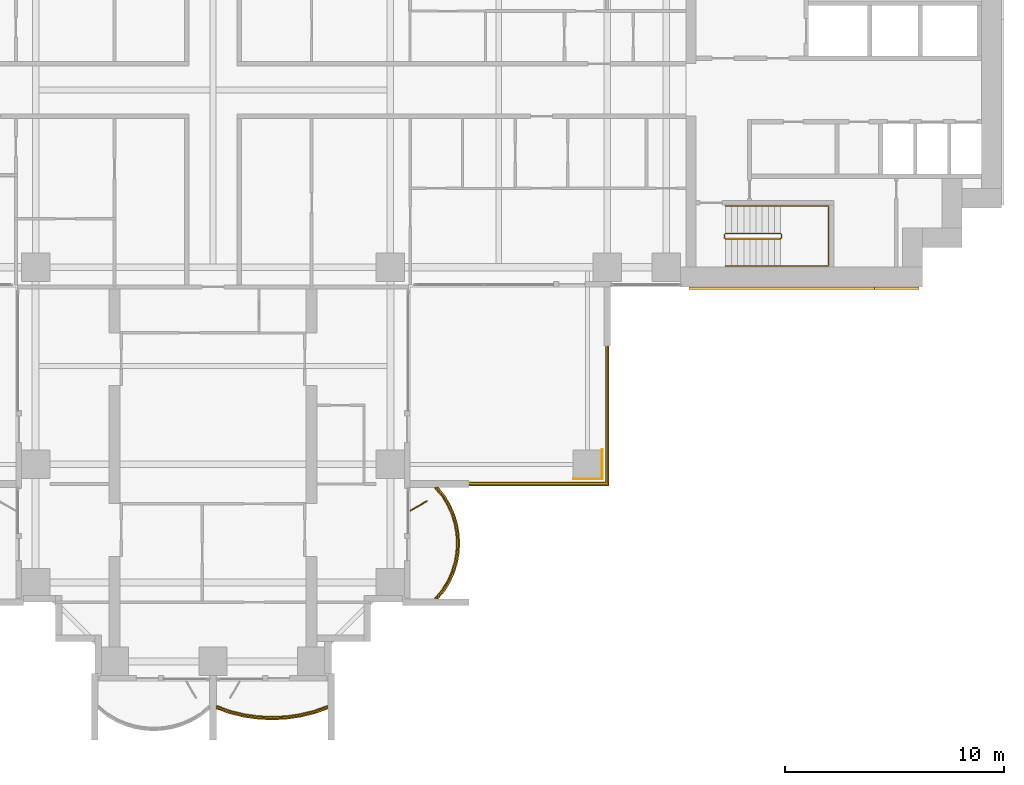
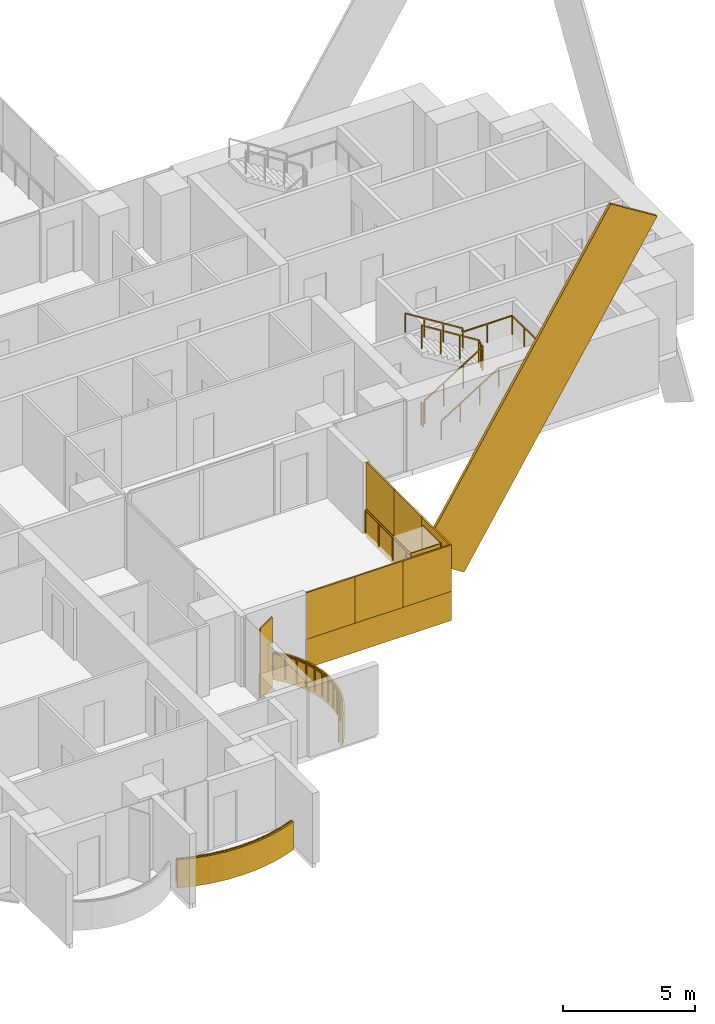
# One storey, part 19 of 21: 12 coverings, 5 railings, 1 shading device.
"""IFC4 building model written with IfcOpenShell, lengths in metres."""

from ifc_helpers import new_model, si_unit, direction, frame, origin, origin_2d, place, context, subcontext, project, spatial, polyline, rectangle, outline, extrude, material, layer, layer_set, material_profile, profile_set, type_object, element, save


model = new_model("IFC4")

# Units and contexts
model_context = context("Model", 3, precision=1e-05, world=origin(), true_north=direction((0.0, 1.0)))
body_context = subcontext(model_context, "Body", "Model", "MODEL_VIEW")
ifc_project = project(units=[si_unit("LENGTHUNIT", "METRE"), si_unit("AREAUNIT", "SQUARE_METRE"), si_unit("VOLUMEUNIT", "CUBIC_METRE"), si_unit("PLANEANGLEUNIT", "RADIAN"), si_unit("MASSUNIT", "GRAM", prefix="KILO")], contexts=[model_context])

# Site, building, storey
site_placement = place(None, origin())
site = spatial("IfcSite", under=ifc_project, at=site_placement, CompositionType="ELEMENT")
building_placement = place(site_placement, origin())
building = spatial("IfcBuilding", under=site, at=building_placement, Name="Perihelion Cross Residences", CompositionType="ELEMENT")
storey_placement = place(building_placement, frame((0.0, 0.0, 75.0)))
storey = spatial("IfcBuildingStorey", under=building, at=storey_placement, Name="L16", CompositionType="ELEMENT", Elevation=75.0)

# Coverings
ifc_material_1 = material(Name="Bronze anodised aluminium", Category="aluminium")
ifc_layer_1 = layer(ifc_material_1, 0.070068359375)
ifc_layer_set_1 = layer_set([ifc_layer_1], Name="Balcony fascia 1300")
covering_type_1 = type_object("IfcCoveringType", Name="Balcony fascia 1300", PredefinedType="CLADDING", material=ifc_layer_set_1)
covering_1_placement = place(storey_placement, frame((0.0, 0.0, -0.199951171875)))
element("IfcCovering", 1, at=covering_1_placement, inside=storey, type_object=covering_type_1, Name="Fascia BF1 L16 south tip south bay 2", PredefinedType="CLADDING", context=body_context, shape_type="SweptSolid", body=[
    extrude(outline(polyline([(0.767578125, -28.49072265625), (1.411865234375, -28.647216796875), (2.055908203125, -28.739501953125), (2.699951171875, -28.77001953125), (3.34423828125, -28.739501953125), (3.98828125, -28.647216796875), (4.63232421875, -28.49072265625), (5.25, -28.274169921875), (5.25, -28.199951171875), (4.612548828125, -28.423583984375), (3.97509765625, -28.57861328125), (3.33740234375, -28.669921875), (2.699951171875, -28.699951171875), (2.0625, -28.669921875), (1.425048828125, -28.57861328125), (0.78759765625, -28.423583984375), (0.14990234375, -28.199951171875), (0.14990234375, -28.274169921875), (0.767578125, -28.49072265625)])), origin(), (0.0, 0.0, 1.0), 1.300048828125),
])
covering_2_placement = place(storey_placement, frame((0.0, 0.0, -0.199951171875)))
element("IfcCovering", 2, at=covering_2_placement, inside=storey, type_object=covering_type_1, Name="Fascia BF1 L16 south side east bay 1", PredefinedType="CLADDING", context=body_context, shape_type="SweptSolid", body=[
    extrude(outline(polyline([(10.59765625, -22.86474609375), (10.85498046875, -22.431884765625), (11.04248046875, -21.998779296875), (11.170654296875, -21.56591796875), (11.245361328125, -21.133056640625), (11.27001953125, -20.699951171875), (11.245361328125, -20.26708984375), (11.170654296875, -19.833984375), (11.04248046875, -19.401123046875), (10.85498046875, -18.96826171875), (10.59765625, -18.53515625), (10.28955078125, -18.14990234375), (10.199951171875, -18.14990234375), (10.5400390625, -18.574951171875), (10.792724609375, -19.0), (10.9765625, -19.425048828125), (11.1025390625, -19.85009765625), (11.17578125, -20.27490234375), (11.199951171875, -20.699951171875), (11.17578125, -21.125), (11.1025390625, -21.550048828125), (10.9765625, -21.97509765625), (10.792724609375, -22.39990234375), (10.5400390625, -22.824951171875), (10.199951171875, -23.25), (10.28955078125, -23.25), (10.59765625, -22.86474609375)])), origin(), (0.0, 0.0, 1.0), 1.300048828125),
])

# Railings
ifc_material_2 = material(Name="Bronze anodised aluminium", Category="aluminium")
railing_type_1 = type_object("IfcRailingType", Name="Balcony guard 1100", PredefinedType="GUARDRAIL", material=ifc_material_2)
railing_1_placement = place(storey_placement, frame((0.175048828125, -28.139892578125, 0.0)))
element("IfcRailing", 3, at=railing_1_placement, inside=storey, type_object=railing_type_1, Name="Guard GU1 L16 south tip south bay 2 balcony", PredefinedType="GUARDRAIL", context=body_context, shape_type="SweptSolid", body=[
    extrude(rectangle(XDim=0.048095703125, YDim=0.048095703125, at=origin_2d()), frame((0.0, 0.0, 1.076171875), z_axis=(0.939355405384, -0.342945217749, 0.0), x_axis=(0.342945217749, 0.939355405384, 0.0)), (0.0, 0.0, 1.0), 0.652099609375),
    extrude(rectangle(XDim=0.048095703125, YDim=0.048095703125, at=origin_2d()), frame((0.612548828125, -0.2236328125, 1.076171875), z_axis=(0.971676841941, -0.236313594268, 0.0), x_axis=(0.236313594268, 0.971676841941, 0.0)), (0.0, 0.0, 1.0), 0.656005859375),
    extrude(rectangle(XDim=0.048095703125, YDim=0.048095703125, at=origin_2d()), frame((1.25, -0.378662109375, 1.076171875), z_axis=(0.989896346386, -0.141792889142, 0.0), x_axis=(0.141792889142, 0.989896346386, 0.0)), (0.0, 0.0, 1.0), 0.64404296875),
    extrude(rectangle(XDim=0.048095703125, YDim=0.048095703125, at=origin_2d()), frame((1.887451171875, -0.469970703125, 1.076171875), z_axis=(0.998892243319, -0.04705620296, 0.0), x_axis=(0.04705620296, 0.998892243319, 0.0)), (0.0, 0.0, 1.0), 0.63818359375),
    extrude(rectangle(XDim=0.048095703125, YDim=0.048095703125, at=origin_2d()), frame((2.52490234375, -0.5, 1.076171875), z_axis=(0.998892243319, 0.04705620296, 0.0), x_axis=(-0.04705620296, 0.998892243319, 0.0)), (0.0, 0.0, 1.0), 0.63818359375),
    extrude(rectangle(XDim=0.048095703125, YDim=0.048095703125, at=origin_2d()), frame((3.162353515625, -0.469970703125, 1.076171875), z_axis=(0.989903964498, 0.141739694763, 0.0), x_axis=(-0.141739694763, 0.989903964498, 0.0)), (0.0, 0.0, 1.0), 0.644287109375),
    extrude(rectangle(XDim=0.048095703125, YDim=0.048095703125, at=origin_2d()), frame((3.800048828125, -0.378662109375, 1.076171875), z_axis=(0.971676841941, 0.236313594268, 0.0), x_axis=(-0.236313594268, 0.971676841941, 0.0)), (0.0, 0.0, 1.0), 0.656005859375),
    extrude(rectangle(XDim=0.048095703125, YDim=0.048095703125, at=origin_2d()), frame((4.4375, -0.2236328125, 1.076171875), z_axis=(0.939355405384, 0.342945217749, 0.0), x_axis=(-0.342945217749, 0.939355405384, 0.0)), (0.0, 0.0, 1.0), 0.652099609375),
    extrude(rectangle(XDim=0.0419921875, YDim=0.0419921875, at=origin_2d()), origin(), (0.0, 0.0, 1.0), 1.052001953125),
    extrude(rectangle(XDim=0.0419921875, YDim=0.0419921875, at=origin_2d()), frame((0.612548828125, -0.2236328125, 0.0)), (0.0, 0.0, 1.0), 1.052001953125),
    extrude(rectangle(XDim=0.0419921875, YDim=0.0419921875, at=origin_2d()), frame((1.25, -0.378662109375, 0.0)), (0.0, 0.0, 1.0), 1.052001953125),
    extrude(rectangle(XDim=0.0419921875, YDim=0.0419921875, at=origin_2d()), frame((1.887451171875, -0.469970703125, 0.0)), (0.0, 0.0, 1.0), 1.052001953125),
    extrude(rectangle(XDim=0.0419921875, YDim=0.0419921875, at=origin_2d()), frame((2.52490234375, -0.5, 0.0)), (0.0, 0.0, 1.0), 1.052001953125),
    extrude(rectangle(XDim=0.0419921875, YDim=0.0419921875, at=origin_2d()), frame((3.162353515625, -0.469970703125, 0.0)), (0.0, 0.0, 1.0), 1.052001953125),
    extrude(rectangle(XDim=0.0419921875, YDim=0.0419921875, at=origin_2d()), frame((3.800048828125, -0.378662109375, 0.0)), (0.0, 0.0, 1.0), 1.052001953125),
    extrude(rectangle(XDim=0.0419921875, YDim=0.0419921875, at=origin_2d()), frame((4.4375, -0.2236328125, 0.0)), (0.0, 0.0, 1.0), 1.052001953125),
    extrude(rectangle(XDim=0.0419921875, YDim=0.0419921875, at=origin_2d()), frame((5.050048828125, 0.0, 0.0)), (0.0, 0.0, 1.0), 1.052001953125),
])
railing_2_placement = place(storey_placement, frame((10.139892578125, -23.22509765625, 0.0)))
element("IfcRailing", 4, at=railing_2_placement, inside=storey, type_object=railing_type_1, Name="Guard GU1 L16 south side east bay 1 balcony", PredefinedType="GUARDRAIL", context=body_context, shape_type="SweptSolid", body=[
    extrude(rectangle(XDim=0.048095703125, YDim=0.048095703125, at=origin_2d()), frame((0.0, 0.0, 1.076171875), z_axis=(0.647607934281, 0.761973728849, 0.0), x_axis=(-0.761973728849, 0.647607934281, 0.0)), (0.0, 0.0, 1.0), 0.525146484375),
    extrude(rectangle(XDim=0.048095703125, YDim=0.048095703125, at=origin_2d()), frame((0.340087890625, 0.400146484375, 1.076171875), z_axis=(0.511006381501, 0.859576918062, 0.0), x_axis=(-0.859576918062, 0.511006381501, 0.0)), (0.0, 0.0, 1.0), 0.494384765625),
    extrude(rectangle(XDim=0.048095703125, YDim=0.048095703125, at=origin_2d()), frame((0.5927734375, 0.8251953125, 1.076171875), z_axis=(0.397607437634, 0.91755562531, 0.0), x_axis=(-0.91755562531, 0.397607437634, 0.0)), (0.0, 0.0, 1.0), 0.462890625),
    extrude(rectangle(XDim=0.048095703125, YDim=0.048095703125, at=origin_2d()), frame((0.77685546875, 1.25, 1.076171875), z_axis=(0.283656975924, 0.958925815697, 0.0), x_axis=(-0.958925815697, 0.283656975924, 0.0)), (0.0, 0.0, 1.0), 0.443359375),
    extrude(rectangle(XDim=0.048095703125, YDim=0.048095703125, at=origin_2d()), frame((0.902587890625, 1.675048828125, 1.076171875), z_axis=(0.17036177859, 0.985381583142, 0.0), x_axis=(-0.985381583142, 0.17036177859, 0.0)), (0.0, 0.0, 1.0), 0.431396484375),
    extrude(rectangle(XDim=0.048095703125, YDim=0.048095703125, at=origin_2d()), frame((0.97607421875, 2.10009765625, 1.076171875), z_axis=(0.056200523353, 0.9984195016, 0.0), x_axis=(-0.9984195016, 0.056200523353, 0.0)), (0.0, 0.0, 1.0), 0.42578125),
    extrude(rectangle(XDim=0.048095703125, YDim=0.048095703125, at=origin_2d()), frame((1.0, 2.525146484375, 1.076171875), z_axis=(-0.056200523353, 0.9984195016, 0.0), x_axis=(-0.9984195016, -0.056200523353, 0.0)), (0.0, 0.0, 1.0), 0.42578125),
    extrude(rectangle(XDim=0.048095703125, YDim=0.048095703125, at=origin_2d()), frame((0.97607421875, 2.9501953125, 1.076171875), z_axis=(-0.170456843651, 0.985365142702, 0.0), x_axis=(-0.985365142702, -0.170456843651, 0.0)), (0.0, 0.0, 1.0), 0.43115234375),
    extrude(rectangle(XDim=0.048095703125, YDim=0.048095703125, at=origin_2d()), frame((0.902587890625, 3.375, 1.076171875), z_axis=(-0.283656975924, 0.958925815697, 0.0), x_axis=(-0.958925815697, -0.283656975924, 0.0)), (0.0, 0.0, 1.0), 0.443359375),
    extrude(rectangle(XDim=0.048095703125, YDim=0.048095703125, at=origin_2d()), frame((0.77685546875, 3.800048828125, 1.076171875), z_axis=(-0.397415137459, 0.917638931453, 0.0), x_axis=(-0.917638931453, -0.397415137459, 0.0)), (0.0, 0.0, 1.0), 0.463134765625),
    extrude(rectangle(XDim=0.048095703125, YDim=0.048095703125, at=origin_2d()), frame((0.5927734375, 4.22509765625, 1.076171875), z_axis=(-0.511006381501, 0.859576918062, 0.0), x_axis=(-0.859576918062, -0.511006381501, 0.0)), (0.0, 0.0, 1.0), 0.494384765625),
    extrude(rectangle(XDim=0.048095703125, YDim=0.048095703125, at=origin_2d()), frame((0.340087890625, 4.650146484375, 1.076171875), z_axis=(-0.647837396648, 0.761778647315, 0.0), x_axis=(-0.761778647315, -0.647837396648, 0.0)), (0.0, 0.0, 1.0), 0.52490234375),
    extrude(rectangle(XDim=0.0419921875, YDim=0.0419921875, at=origin_2d()), origin(), (0.0, 0.0, 1.0), 1.052001953125),
    extrude(rectangle(XDim=0.0419921875, YDim=0.0419921875, at=origin_2d()), frame((0.340087890625, 0.400146484375, 0.0)), (0.0, 0.0, 1.0), 1.052001953125),
    extrude(rectangle(XDim=0.0419921875, YDim=0.0419921875, at=origin_2d()), frame((0.5927734375, 0.8251953125, 0.0)), (0.0, 0.0, 1.0), 1.052001953125),
    extrude(rectangle(XDim=0.0419921875, YDim=0.0419921875, at=origin_2d()), frame((0.77685546875, 1.25, 0.0)), (0.0, 0.0, 1.0), 1.052001953125),
    extrude(rectangle(XDim=0.0419921875, YDim=0.0419921875, at=origin_2d()), frame((0.902587890625, 1.675048828125, 0.0)), (0.0, 0.0, 1.0), 1.052001953125),
    extrude(rectangle(XDim=0.0419921875, YDim=0.0419921875, at=origin_2d()), frame((0.97607421875, 2.10009765625, 0.0)), (0.0, 0.0, 1.0), 1.052001953125),
    extrude(rectangle(XDim=0.0419921875, YDim=0.0419921875, at=origin_2d()), frame((1.0, 2.525146484375, 0.0)), (0.0, 0.0, 1.0), 1.052001953125),
    extrude(rectangle(XDim=0.0419921875, YDim=0.0419921875, at=origin_2d()), frame((0.97607421875, 2.9501953125, 0.0)), (0.0, 0.0, 1.0), 1.052001953125),
    extrude(rectangle(XDim=0.0419921875, YDim=0.0419921875, at=origin_2d()), frame((0.902587890625, 3.375, 0.0)), (0.0, 0.0, 1.0), 1.052001953125),
    extrude(rectangle(XDim=0.0419921875, YDim=0.0419921875, at=origin_2d()), frame((0.77685546875, 3.800048828125, 0.0)), (0.0, 0.0, 1.0), 1.052001953125),
    extrude(rectangle(XDim=0.0419921875, YDim=0.0419921875, at=origin_2d()), frame((0.5927734375, 4.22509765625, 0.0)), (0.0, 0.0, 1.0), 1.052001953125),
    extrude(rectangle(XDim=0.0419921875, YDim=0.0419921875, at=origin_2d()), frame((0.340087890625, 4.650146484375, 0.0)), (0.0, 0.0, 1.0), 1.052001953125),
    extrude(rectangle(XDim=0.0419921875, YDim=0.0419921875, at=origin_2d()), frame((0.0, 5.050048828125, 0.0)), (0.0, 0.0, 1.0), 1.052001953125),
])
railing_3_placement = place(storey_placement, frame((17.93994140625, -11.739990234375, 0.0)))
element("IfcRailing", 5, at=railing_3_placement, inside=storey, type_object=railing_type_1, Name="Guard GU1 L16 pocket south-east 1", PredefinedType="GUARDRAIL", context=body_context, shape_type="SweptSolid", body=[
    extrude(rectangle(XDim=0.048095703125, YDim=0.048095703125, at=origin_2d()), frame((0.0, 0.0, 1.076171875), z_axis=(0.0, -1.0, 0.0), x_axis=(1.0, 0.0, 0.0)), (0.0, 0.0, 1.0), 6.199951171875),
    extrude(rectangle(XDim=0.048095703125, YDim=0.048095703125, at=origin_2d()), frame((0.0, -6.199951171875, 1.076171875), z_axis=(-1.0, 0.0, 0.0), x_axis=(0.0, -1.0, 0.0)), (0.0, 0.0, 1.0), 6.199951171875),
    extrude(rectangle(XDim=0.0419921875, YDim=0.0419921875, at=origin_2d()), origin(), (0.0, 0.0, 1.0), 1.052001953125),
    extrude(rectangle(XDim=0.0419921875, YDim=0.0419921875, at=origin_2d()), frame((0.0, -1.033203125, 0.0)), (0.0, 0.0, 1.0), 1.052001953125),
    extrude(rectangle(XDim=0.0419921875, YDim=0.0419921875, at=origin_2d()), frame((0.0, -2.066650390625, 0.0)), (0.0, 0.0, 1.0), 1.052001953125),
    extrude(rectangle(XDim=0.0419921875, YDim=0.0419921875, at=origin_2d()), frame((0.0, -3.10009765625, 0.0)), (0.0, 0.0, 1.0), 1.052001953125),
    extrude(rectangle(XDim=0.0419921875, YDim=0.0419921875, at=origin_2d()), frame((0.0, -4.13330078125, 0.0)), (0.0, 0.0, 1.0), 1.052001953125),
    extrude(rectangle(XDim=0.0419921875, YDim=0.0419921875, at=origin_2d()), frame((0.0, -5.16650390625, 0.0)), (0.0, 0.0, 1.0), 1.052001953125),
    extrude(rectangle(XDim=0.0419921875, YDim=0.0419921875, at=origin_2d()), frame((0.0, -6.199951171875, 0.0)), (0.0, 0.0, 1.0), 1.052001953125),
    extrude(rectangle(XDim=0.0419921875, YDim=0.0419921875, at=origin_2d()), frame((-1.033203125, -6.199951171875, 0.0)), (0.0, 0.0, 1.0), 1.052001953125),
    extrude(rectangle(XDim=0.0419921875, YDim=0.0419921875, at=origin_2d()), frame((-2.066650390625, -6.199951171875, 0.0)), (0.0, 0.0, 1.0), 1.052001953125),
    extrude(rectangle(XDim=0.0419921875, YDim=0.0419921875, at=origin_2d()), frame((-3.10009765625, -6.199951171875, 0.0)), (0.0, 0.0, 1.0), 1.052001953125),
    extrude(rectangle(XDim=0.0419921875, YDim=0.0419921875, at=origin_2d()), frame((-4.13330078125, -6.199951171875, 0.0)), (0.0, 0.0, 1.0), 1.052001953125),
    extrude(rectangle(XDim=0.0419921875, YDim=0.0419921875, at=origin_2d()), frame((-5.16650390625, -6.199951171875, 0.0)), (0.0, 0.0, 1.0), 1.052001953125),
    extrude(rectangle(XDim=0.0419921875, YDim=0.0419921875, at=origin_2d()), frame((-6.199951171875, -6.199951171875, 0.0)), (0.0, 0.0, 1.0), 1.052001953125),
])

# Coverings
ifc_material_3 = material(Name="Bronze anodised aluminium", Category="aluminium")
ifc_material_profile = material_profile(ifc_material_3, rectangle(XDim=0.125, YDim=2.39990234375, at=origin_2d()), Name="Bronze cladding band 2400")
ifc_profile_set = profile_set([ifc_material_profile], Name="Bronze anodised aluminium")
covering_type_2 = type_object("IfcCoveringType", Name="Bronze cladding band 2400", PredefinedType="CLADDING", material=ifc_profile_set)
covering_3_placement = place(storey_placement, frame((22.767578125, -9.0625, -4.805419921875), z_axis=(0.529924750763, 0.0, 0.848044667767), x_axis=(0.0, 1.0, 0.0)))
element("IfcCovering", 6, at=covering_3_placement, inside=storey, type_object=covering_type_2, Name="Core cladding band, east core", PredefinedType="CLADDING", context=body_context, shape_type="SweptSolid", body=[
    extrude(rectangle(XDim=0.125, YDim=2.39990234375, at=origin_2d()), origin(), (0.0, 0.0, 1.0), 15.9736328125),
])
ifc_material_4 = material(Name="Bronze anodised aluminium", Category="aluminium")
ifc_layer_2 = layer(ifc_material_4, 0.0400390625)
ifc_layer_set_2 = layer_set([ifc_layer_2], Name="Bronze column casing 40")
covering_type_3 = type_object("IfcCoveringType", Name="Bronze column casing 40", PredefinedType="CLADDING", material=ifc_layer_set_2)
covering_4_placement = place(storey_placement, frame((17.77001953125, -17.10009765625, -0.25), z_axis=(0.0, 0.0, 1.0), x_axis=(1.0, 0.0, 0.0)))
element("IfcCovering", 7, at=covering_4_placement, inside=storey, type_object=covering_type_3, Name="Cladding CC1 L16 casing east-west no. 3", PredefinedType="CLADDING", context=body_context, shape_type="SweptSolid", body=[
    extrude(rectangle(XDim=0.0400390625, YDim=1.3798828125, at=origin_2d()), origin(), (0.0, 0.0, 1.0), 3.5),
])
covering_5_placement = place(storey_placement, frame((17.10009765625, -17.77001953125, -0.25), z_axis=(0.0, 0.0, 1.0), x_axis=(1.0, 0.0, 0.0)))
element("IfcCovering", 8, at=covering_5_placement, inside=storey, type_object=covering_type_3, Name="Cladding CC1 L16 casing north-south no. 3", PredefinedType="CLADDING", context=body_context, shape_type="SweptSolid", body=[
    extrude(rectangle(XDim=1.300048828125, YDim=0.0400390625, at=origin_2d()), origin(), (0.0, 0.0, 1.0), 3.5),
])

# Shading device
ifc_material_5 = material(Name="Bronze anodised aluminium", Category="aluminium")
ifc_layer_3 = layer(ifc_material_5, 0.050048828125)
ifc_layer_set_3 = layer_set([ifc_layer_3], Name="Bronze fin 900")
shading_device_type = type_object("IfcShadingDeviceType", Name="Bronze fin 900", PredefinedType="USERDEFINED", material=ifc_layer_set_3)
shading_device_placement = place(storey_placement, frame((9.3896484375, -19.0, 0.0), z_axis=(0.0, 0.0, 1.0), x_axis=(0.866025403784, 0.5, 0.0)))
element("IfcShadingDevice", 9, at=shading_device_placement, inside=storey, type_object=shading_device_type, Name="Fin FN1 L16 south side east bay 1", ObjectType="FIN", PredefinedType="USERDEFINED", context=body_context, shape_type="SweptSolid", body=[
    extrude(rectangle(XDim=0.89990234375, YDim=0.050048828125, at=origin_2d()), origin(), (0.0, 0.0, 1.0), 3.25),
])

# Coverings
ifc_material_6 = material(Name="Bronze anodised aluminium", Category="aluminium")
ifc_layer_4 = layer(ifc_material_6, 0.070068359375)
ifc_layer_set_4 = layer_set([ifc_layer_4], Name="Pocket fascia 1350")
covering_type_4 = type_object("IfcCoveringType", Name="Pocket fascia 1350", PredefinedType="CLADDING", material=ifc_layer_set_4)
covering_6_placement = place(storey_placement, frame((0.0, 0.0, -0.25)))
element("IfcCovering", 10, at=covering_6_placement, inside=storey, type_object=covering_type_4, Name="Fascia BF2 L16 pocket south-east 3", PredefinedType="CLADDING", context=body_context, shape_type="SweptSolid", body=[
    extrude(outline(polyline([(18.070068359375, -18.070068359375), (18.070068359375, -11.699951171875), (18.0, -11.699951171875), (18.0, -18.0), (11.699951171875, -18.0), (11.699951171875, -18.070068359375), (18.070068359375, -18.070068359375)])), origin(), (0.0, 0.0, 1.0), 1.35009765625),
])
ifc_material_7 = material(Name="Bronze perforated aluminium", Category="aluminium")
ifc_layer_5 = layer(ifc_material_7, 0.070068359375)
ifc_layer_set_5 = layer_set([ifc_layer_5], Name="Pocket solar screen, bronze perforated")
covering_type_5 = type_object("IfcCoveringType", Name="Pocket solar screen, bronze perforated", PredefinedType="CLADDING", material=ifc_layer_set_5)
covering_7_placement = place(storey_placement, frame((0.0, 0.0, 1.10009765625)))
element("IfcCovering", 11, at=covering_7_placement, inside=storey, type_object=covering_type_5, Name="Solar screen PS1 L16 pocket south-east no. 1", PredefinedType="CLADDING", context=body_context, shape_type="SweptSolid", body=[
    extrude(outline(polyline([(18.070068359375, -18.0), (18.070068359375, -15.89990234375), (18.0, -15.89990234375), (18.0, -18.0), (18.070068359375, -18.0)])), origin(), (0.0, 0.0, 1.0), 2.14990234375),
])
covering_8_placement = place(storey_placement, frame((0.0, 0.0, 1.10009765625)))
element("IfcCovering", 12, at=covering_8_placement, inside=storey, type_object=covering_type_5, Name="Solar screen PS1 L16 pocket south-east no. 2", PredefinedType="CLADDING", context=body_context, shape_type="SweptSolid", body=[
    extrude(outline(polyline([(18.070068359375, -15.89990234375), (18.070068359375, -13.800048828125), (18.0, -13.800048828125), (18.0, -15.89990234375), (18.070068359375, -15.89990234375)])), origin(), (0.0, 0.0, 1.0), 2.14990234375),
])
covering_9_placement = place(storey_placement, frame((0.0, 0.0, 1.10009765625)))
element("IfcCovering", 13, at=covering_9_placement, inside=storey, type_object=covering_type_5, Name="Solar screen PS1 L16 pocket south-east no. 3", PredefinedType="CLADDING", context=body_context, shape_type="SweptSolid", body=[
    extrude(outline(polyline([(18.070068359375, -13.800048828125), (18.070068359375, -11.699951171875), (18.0, -11.699951171875), (18.0, -13.800048828125), (18.070068359375, -13.800048828125)])), origin(), (0.0, 0.0, 1.0), 2.14990234375),
])
covering_10_placement = place(storey_placement, frame((0.0, 0.0, 1.10009765625)))
element("IfcCovering", 14, at=covering_10_placement, inside=storey, type_object=covering_type_5, Name="Solar screen PS1 L16 pocket south-east no. 4", PredefinedType="CLADDING", context=body_context, shape_type="SweptSolid", body=[
    extrude(outline(polyline([(13.8232421875, -18.070068359375), (13.8232421875, -18.0), (11.699951171875, -18.0), (11.699951171875, -18.070068359375), (13.8232421875, -18.070068359375)])), origin(), (0.0, 0.0, 1.0), 2.14990234375),
])
covering_11_placement = place(storey_placement, frame((0.0, 0.0, 1.10009765625)))
element("IfcCovering", 15, at=covering_11_placement, inside=storey, type_object=covering_type_5, Name="Solar screen PS1 L16 pocket south-east no. 5", PredefinedType="CLADDING", context=body_context, shape_type="SweptSolid", body=[
    extrude(outline(polyline([(15.94677734375, -18.070068359375), (15.94677734375, -18.0), (13.8232421875, -18.0), (13.8232421875, -18.070068359375), (15.94677734375, -18.070068359375)])), origin(), (0.0, 0.0, 1.0), 2.14990234375),
])
covering_12_placement = place(storey_placement, frame((0.0, 0.0, 1.10009765625)))
element("IfcCovering", 16, at=covering_12_placement, inside=storey, type_object=covering_type_5, Name="Solar screen PS1 L16 pocket south-east no. 6", PredefinedType="CLADDING", context=body_context, shape_type="SweptSolid", body=[
    extrude(outline(polyline([(18.070068359375, -18.070068359375), (18.070068359375, -18.0), (15.94677734375, -18.0), (15.94677734375, -18.070068359375), (18.070068359375, -18.070068359375)])), origin(), (0.0, 0.0, 1.0), 2.14990234375),
])

# Railings
ifc_material_8 = material(Name="Stainless steel", Category="steel")
railing_type_2 = type_object("IfcRailingType", Name="Stair guard 1100", PredefinedType="GUARDRAIL", material=ifc_material_8)
railing_4_placement = place(storey_placement, frame((23.35009765625, -6.60009765625, 0.0)))
element("IfcRailing", 17, at=railing_4_placement, inside=storey, type_object=railing_type_2, Name="L16 ST-E2 stair guard 1", PredefinedType="GUARDRAIL", context=body_context, shape_type="SweptSolid", body=[
    extrude(rectangle(XDim=0.048095703125, YDim=0.048095703125, at=origin_2d()), frame((0.0, 0.0, 1.076171875), z_axis=(0.0, -1.0, 0.0), x_axis=(1.0, 0.0, 0.0)), (0.0, 0.0, 1.0), 0.14990234375),
    extrude(rectangle(XDim=0.048095703125, YDim=0.048095703125, at=origin_2d()), frame((0.0, -0.14990234375, 1.076171875), z_axis=(0.263862480399, -0.265155923931, 0.927399011991), x_axis=(0.708833529934, 0.705375805398, 0.0)), (0.0, 0.0, 1.0), 0.188720703125),
    extrude(rectangle(XDim=0.048095703125, YDim=0.048095703125, at=origin_2d()), frame((0.0498046875, -0.199951171875, 1.2509765625), z_axis=(0.848007534815, 0.0, 0.529984170421), x_axis=(0.0, 1.0, 0.0)), (0.0, 0.0, 1.0), 2.9716796875),
    extrude(rectangle(XDim=0.048095703125, YDim=0.048095703125, at=origin_2d()), frame((2.56982421875, -0.199951171875, 2.826171875), z_axis=(0.707106781187, 0.707106781187, 0.0), x_axis=(-0.707106781187, 0.707106781187, 0.0)), (0.0, 0.0, 1.0), 0.07080078125),
    extrude(rectangle(XDim=0.048095703125, YDim=0.048095703125, at=origin_2d()), frame((2.619873046875, -0.14990234375, 2.826171875), z_axis=(0.0, 1.0, 0.0), x_axis=(-1.0, 0.0, 0.0)), (0.0, 0.0, 1.0), 0.14990234375),
    extrude(rectangle(XDim=0.048095703125, YDim=0.048095703125, at=origin_2d()), frame((2.619873046875, 0.0, 2.826171875), z_axis=(-0.265065253269, 0.265065253269, 0.927081885822), x_axis=(-0.707106781187, -0.707106781187, 0.0)), (0.0, 0.0, 1.0), 0.188720703125),
    extrude(rectangle(XDim=0.048095703125, YDim=0.048095703125, at=origin_2d()), frame((2.56982421875, 0.050048828125, 3.0009765625), z_axis=(-0.848007534815, 0.0, 0.529984170421), x_axis=(0.0, -1.0, 0.0)), (0.0, 0.0, 1.0), 2.9716796875),
    extrude(rectangle(XDim=0.0419921875, YDim=0.0419921875, at=origin_2d()), origin(), (0.0, 0.0, 1.0), 1.052001953125),
    extrude(rectangle(XDim=0.0419921875, YDim=0.0419921875, at=origin_2d()), frame((0.0, -0.14990234375, 0.0)), (0.0, 0.0, 1.0), 1.052001953125),
    extrude(rectangle(XDim=0.0419921875, YDim=0.0419921875, at=origin_2d()), frame((0.0498046875, -0.199951171875, 0.175048828125)), (0.0, 0.0, 1.0), 1.052001953125),
    extrude(rectangle(XDim=0.0419921875, YDim=0.0419921875, at=origin_2d()), frame((0.889892578125, -0.199951171875, 0.699951171875)), (0.0, 0.0, 1.0), 1.052001953125),
    extrude(rectangle(XDim=0.0419921875, YDim=0.0419921875, at=origin_2d()), frame((1.729736328125, -0.199951171875, 1.22509765625)), (0.0, 0.0, 1.0), 1.052001953125),
    extrude(rectangle(XDim=0.0419921875, YDim=0.0419921875, at=origin_2d()), frame((2.56982421875, -0.199951171875, 1.75)), (0.0, 0.0, 1.0), 1.052001953125),
    extrude(rectangle(XDim=0.0419921875, YDim=0.0419921875, at=origin_2d()), frame((2.619873046875, -0.14990234375, 1.75)), (0.0, 0.0, 1.0), 1.052001953125),
    extrude(rectangle(XDim=0.0419921875, YDim=0.0419921875, at=origin_2d()), frame((2.619873046875, 0.0, 1.75)), (0.0, 0.0, 1.0), 1.052001953125),
    extrude(rectangle(XDim=0.0419921875, YDim=0.0419921875, at=origin_2d()), frame((2.56982421875, 0.050048828125, 1.925048828125)), (0.0, 0.0, 1.0), 1.052001953125),
    extrude(rectangle(XDim=0.0419921875, YDim=0.0419921875, at=origin_2d()), frame((1.729736328125, 0.050048828125, 2.449951171875)), (0.0, 0.0, 1.0), 1.052001953125),
    extrude(rectangle(XDim=0.0419921875, YDim=0.0419921875, at=origin_2d()), frame((0.889892578125, 0.050048828125, 2.97509765625)), (0.0, 0.0, 1.0), 1.052001953125),
    extrude(rectangle(XDim=0.0419921875, YDim=0.0419921875, at=origin_2d()), frame((0.0498046875, 0.050048828125, 3.5)), (0.0, 0.0, 1.0), 1.052001953125),
])
ifc_material_9 = material(Name="Stainless steel", Category="steel")
railing_type_3 = type_object("IfcRailingType", Name="Stair handrail 900", PredefinedType="HANDRAIL", material=ifc_material_9)
railing_5_placement = place(storey_placement, frame((23.39990234375, -8.050048828125, 0.175048828125)))
element("IfcRailing", 18, at=railing_5_placement, inside=storey, type_object=railing_type_3, Name="L16 ST-E2 stair handrail 1", PredefinedType="HANDRAIL", context=body_context, shape_type="SweptSolid", body=[
    extrude(rectangle(XDim=0.048095703125, YDim=0.048095703125, at=origin_2d()), frame((0.0, 0.0, 0.8759765625), z_axis=(0.848007534815, 0.0, 0.529984170421), x_axis=(0.0, 1.0, 0.0)), (0.0, 0.0, 1.0), 2.9716796875),
    extrude(rectangle(XDim=0.048095703125, YDim=0.048095703125, at=origin_2d()), frame((2.52001953125, 0.0, 2.45068359375), z_axis=(1.0, 0.0, 0.0), x_axis=(0.0, 1.0, 0.0)), (0.0, 0.0, 1.0), 2.18017578125),
    extrude(rectangle(XDim=0.048095703125, YDim=0.048095703125, at=origin_2d()), frame((4.7001953125, 0.0, 2.45068359375), z_axis=(0.0, 1.0, 0.0), x_axis=(-1.0, 0.0, 0.0)), (0.0, 0.0, 1.0), 2.75),
    extrude(rectangle(XDim=0.048095703125, YDim=0.048095703125, at=origin_2d()), frame((4.7001953125, 2.75, 2.45068359375), z_axis=(-1.0, 0.0, 0.0), x_axis=(0.0, -1.0, 0.0)), (0.0, 0.0, 1.0), 2.18017578125),
    extrude(rectangle(XDim=0.048095703125, YDim=0.048095703125, at=origin_2d()), frame((2.52001953125, 2.75, 2.45068359375), z_axis=(0.0, 0.0, 1.0), x_axis=(1.0, 0.0, 0.0)), (0.0, 0.0, 1.0), 0.175048828125),
    extrude(rectangle(XDim=0.048095703125, YDim=0.048095703125, at=origin_2d()), frame((2.52001953125, 2.75, 2.6259765625), z_axis=(-0.848007534815, 0.0, 0.529984170421), x_axis=(0.0, -1.0, 0.0)), (0.0, 0.0, 1.0), 2.9716796875),
    extrude(rectangle(XDim=0.0419921875, YDim=0.0419921875, at=origin_2d()), origin(), (0.0, 0.0, 1.0), 0.851806640625),
    extrude(rectangle(XDim=0.0419921875, YDim=0.0419921875, at=origin_2d()), frame((0.840087890625, 0.0, 0.52490234375)), (0.0, 0.0, 1.0), 0.851806640625),
    extrude(rectangle(XDim=0.0419921875, YDim=0.0419921875, at=origin_2d()), frame((1.679931640625, 0.0, 1.050048828125)), (0.0, 0.0, 1.0), 0.851806640625),
    extrude(rectangle(XDim=0.0419921875, YDim=0.0419921875, at=origin_2d()), frame((2.52001953125, 0.0, 1.574951171875)), (0.0, 0.0, 1.0), 0.851806640625),
    extrude(rectangle(XDim=0.0419921875, YDim=0.0419921875, at=origin_2d()), frame((3.610107421875, 0.0, 1.574951171875)), (0.0, 0.0, 1.0), 0.851806640625),
    extrude(rectangle(XDim=0.0419921875, YDim=0.0419921875, at=origin_2d()), frame((4.7001953125, 0.0, 1.574951171875)), (0.0, 0.0, 1.0), 0.851806640625),
    extrude(rectangle(XDim=0.0419921875, YDim=0.0419921875, at=origin_2d()), frame((4.7001953125, 0.916748046875, 1.574951171875)), (0.0, 0.0, 1.0), 0.851806640625),
    extrude(rectangle(XDim=0.0419921875, YDim=0.0419921875, at=origin_2d()), frame((4.7001953125, 1.833251953125, 1.574951171875)), (0.0, 0.0, 1.0), 0.851806640625),
    extrude(rectangle(XDim=0.0419921875, YDim=0.0419921875, at=origin_2d()), frame((4.7001953125, 2.75, 1.574951171875)), (0.0, 0.0, 1.0), 0.851806640625),
    extrude(rectangle(XDim=0.0419921875, YDim=0.0419921875, at=origin_2d()), frame((3.610107421875, 2.75, 1.574951171875)), (0.0, 0.0, 1.0), 0.851806640625),
    extrude(rectangle(XDim=0.0419921875, YDim=0.0419921875, at=origin_2d()), frame((2.52001953125, 2.75, 1.574951171875)), (0.0, 0.0, 1.0), 0.851806640625),
    extrude(rectangle(XDim=0.0419921875, YDim=0.0419921875, at=origin_2d()), frame((2.52001953125, 2.75, 1.75)), (0.0, 0.0, 1.0), 0.851806640625),
    extrude(rectangle(XDim=0.0419921875, YDim=0.0419921875, at=origin_2d()), frame((1.679931640625, 2.75, 2.27490234375)), (0.0, 0.0, 1.0), 0.851806640625),
    extrude(rectangle(XDim=0.0419921875, YDim=0.0419921875, at=origin_2d()), frame((0.840087890625, 2.75, 2.800048828125)), (0.0, 0.0, 1.0), 0.851806640625),
    extrude(rectangle(XDim=0.0419921875, YDim=0.0419921875, at=origin_2d()), frame((0.0, 2.75, 3.324951171875)), (0.0, 0.0, 1.0), 0.851806640625),
])

save(model, "model.ifc")
